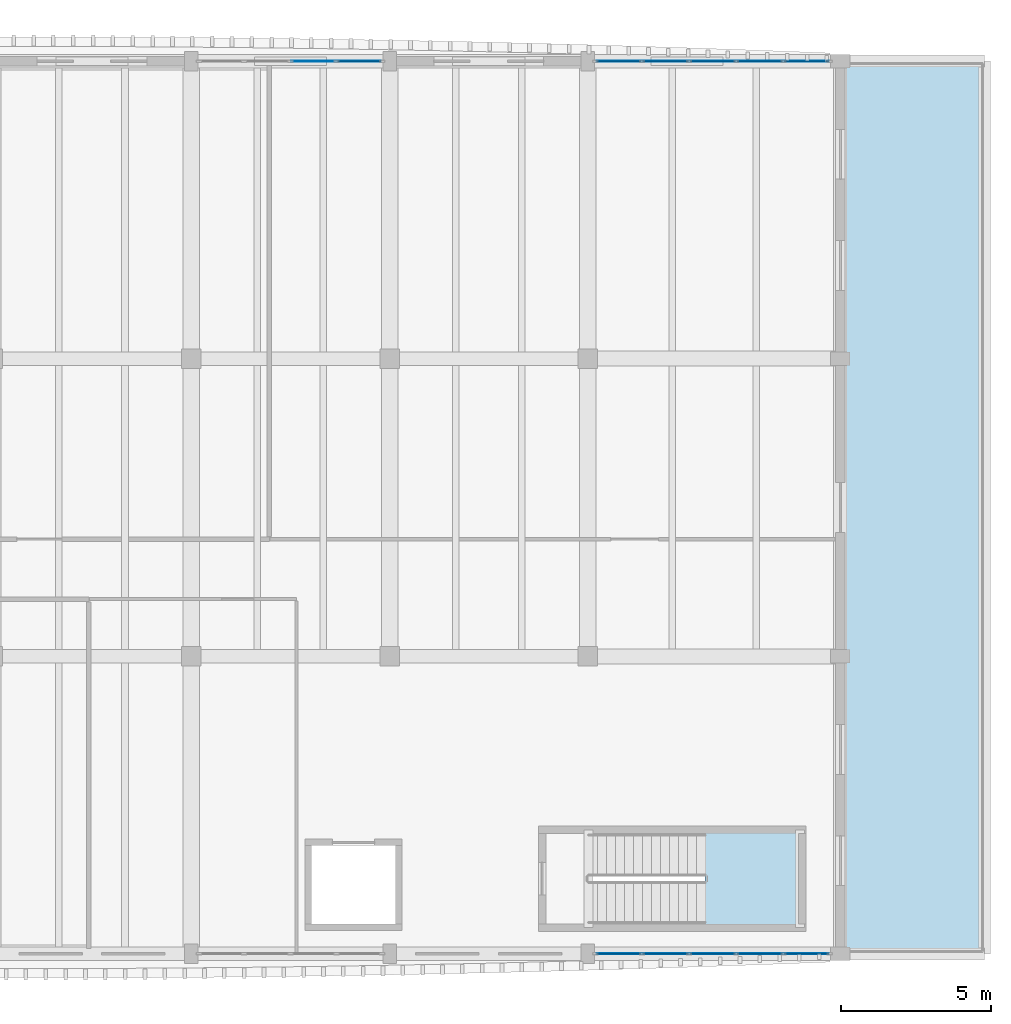
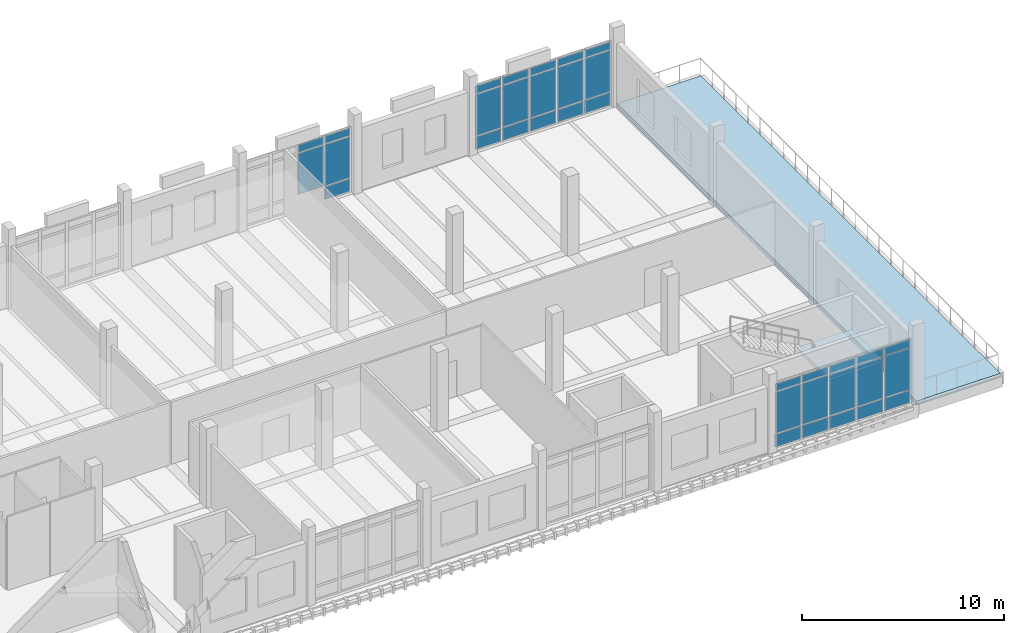
# One storey, part 17 of 39: 35 plates, 2 slabs, 4 elements without a shape of their own.
"""IFC4 building model written with IfcOpenShell, lengths in metres."""

import ifcopenshell
import ifcopenshell.guid

model = None  # the IFC model being written
_history = None  # IfcOwnerHistory: only IFC2X3 demands one
_inside = {}  # id of a spatial element -> (the spatial element, [elements in it])
_under = {}  # id of a project, library or spatial element -> (it, [spatial elements below it])
_declared = {}  # id of a project -> (the project, [libraries it declares])
_typed = {}  # id of a type object -> (the type object, [elements of that type])
_made_of = {}  # id of a material, layer set ... -> (it, [elements and type objects made of it])


def new_model(schema):
    """Start an empty IFC model of exactly this schema.

    Asked for "IFC4X3", IfcOpenShell would pick the latest addendum, in which some entities
    have other attributes; the version numbers below select the first issue.
    IFC2X3 requires an IfcOwnerHistory on every rooted entity: one is made here for all.
    """
    global model, _history
    if schema == "IFC4X3":
        model = ifcopenshell.file(schema_version=(4, 3, 0, 0))
    else:
        model = ifcopenshell.file(schema=schema)
    _inside.clear()
    _under.clear()
    _declared.clear()
    _typed.clear()
    _made_of.clear()
    _history = None
    if model.schema == "IFC2X3":
        org = make("IfcOrganization", Name="unknown")
        user = make(
            "IfcPersonAndOrganization",
            ThePerson=make("IfcPerson", FamilyName="unknown"),
            TheOrganization=org,
        )
        app = make(
            "IfcApplication",
            ApplicationDeveloper=org,
            Version="unknown",
            ApplicationFullName="unknown",
            ApplicationIdentifier="unknown",
        )
        _history = make(
            "IfcOwnerHistory",
            OwningUser=user,
            OwningApplication=app,
            ChangeAction="ADDED",
            CreationDate=0,
        )
    return model


def make(cls, **values):
    """One entity of the class cls with the attributes given. An attribute that is None is left unset."""
    return model.create_entity(
        cls, **{name: value for name, value in values.items() if value is not None}
    )


def rooted(cls, **values):
    """An entity with a GlobalId (a new one), such as an element, a storey or a relation."""
    return make(cls, GlobalId=ifcopenshell.guid.new(), OwnerHistory=_history, **values)


def si_unit(unit_type, name, prefix=None):
    """IfcSIUnit, for example si_unit("LENGTHUNIT", "METRE", prefix="MILLI")."""
    return make("IfcSIUnit", UnitType=unit_type, Prefix=prefix, Name=name)


def assignment(units):
    """IfcUnitAssignment: the units of a project."""
    return None if units is None else make("IfcUnitAssignment", Units=units)


def point(xyz):
    """IfcCartesianPoint."""
    return None if xyz is None else make("IfcCartesianPoint", Coordinates=xyz)


def direction(xyz):
    """IfcDirection."""
    return None if xyz is None else make("IfcDirection", DirectionRatios=xyz)


def frame(location, z_axis=None, x_axis=None):
    """IfcAxis2Placement3D, a coordinate frame: its origin and axes. An axis left out is left unset."""
    return make(
        "IfcAxis2Placement3D",
        Location=point(location),
        Axis=direction(z_axis),
        RefDirection=direction(x_axis),
    )


def frame_2d(location, x_axis=None):
    """IfcAxis2Placement2D, a coordinate frame in the plane: its origin and x axis."""
    return make(
        "IfcAxis2Placement2D", Location=point(location), RefDirection=direction(x_axis)
    )


def origin():
    """The frame at (0, 0, 0) with its axes left unset."""
    return frame((0.0, 0.0, 0.0))


def origin_2d():
    """The frame at (0, 0) in the plane with its x axis left unset."""
    return frame_2d((0.0, 0.0))


def place(relative_to, where):
    """IfcLocalPlacement: puts the frame where relative to a parent placement (None: the world)."""
    return make(
        "IfcLocalPlacement", PlacementRelTo=relative_to, RelativePlacement=where
    )


def context(
    kind, dimensions, precision=None, world=None, true_north=None, identifier=None
):
    """IfcGeometricRepresentationContext, for example the 3D "Model" context."""
    return make(
        "IfcGeometricRepresentationContext",
        ContextIdentifier=identifier,
        ContextType=kind,
        CoordinateSpaceDimension=dimensions,
        Precision=precision,
        WorldCoordinateSystem=world,
        TrueNorth=true_north,
    )


def subcontext(parent, identifier, kind, view, scale=None):
    """IfcGeometricRepresentationSubContext, for example "Body" below "Model"."""
    return make(
        "IfcGeometricRepresentationSubContext",
        ContextIdentifier=identifier,
        ContextType=kind,
        ParentContext=parent,
        TargetScale=scale,
        TargetView=view,
    )


def project(units=None, contexts=None):
    """IfcProject with its units and contexts."""
    return rooted(
        "IfcProject",
        Name="project",
        RepresentationContexts=contexts,
        UnitsInContext=assignment(units),
    )


def spatial(cls, under=None, at=None, **own):
    """A site, building, storey or space (cls), placed at a placement, below another one or the project."""
    s = rooted(cls, ObjectPlacement=at, **own)
    if under is not None:
        _under.setdefault(under.id(), (under, []))[1].append(s)
    return s


def polyline(points):
    """IfcPolyline through the points."""
    return make("IfcPolyline", Points=[point(p) for p in points])


def profile(cls, at=None, kind="AREA", **sizes):
    """A parametric profile (cls). Its sizes go by their IFC names, for example OverallWidth=200.0."""
    return make(cls, ProfileType=kind, Position=at, **sizes)


def rectangle(**sizes):
    """IfcRectangleProfileDef."""
    return profile("IfcRectangleProfileDef", **sizes)


def outline(outer, holes=None, kind="AREA"):
    """IfcArbitraryClosedProfileDef: a profile drawn as a closed curve; with holes, ...WithVoids."""
    if holes is None:
        return make("IfcArbitraryClosedProfileDef", ProfileType=kind, OuterCurve=outer)
    return make(
        "IfcArbitraryProfileDefWithVoids",
        ProfileType=kind,
        OuterCurve=outer,
        InnerCurves=holes,
    )


def extrude(swept, where, along, depth):
    """IfcExtrudedAreaSolid: the profile swept, set in the frame where, extruded along a direction by depth."""
    return make(
        "IfcExtrudedAreaSolid",
        SweptArea=swept,
        Position=where,
        ExtrudedDirection=direction(along),
        Depth=depth,
    )


def shape(context_of_items, identifier, shape_type, items):
    """IfcShapeRepresentation: the items that make up one representation, for example the "Body"."""
    return make(
        "IfcShapeRepresentation",
        ContextOfItems=context_of_items,
        RepresentationIdentifier=identifier,
        RepresentationType=shape_type,
        Items=items,
    )


def material(Name=None, Category=None):
    """IfcMaterial."""
    return make("IfcMaterial", Name=Name, Category=Category)


def layer(
    of_material, thickness, ventilated=None, Name=None, Category=None, Priority=None
):
    """IfcMaterialLayer: one layer of a wall or slab, of a material (None: an air gap)."""
    return make(
        "IfcMaterialLayer",
        Material=of_material,
        LayerThickness=thickness,
        IsVentilated=ventilated,
        Name=Name,
        Category=Category,
        Priority=Priority,
    )


def layer_set(layers, Name=None):
    """IfcMaterialLayerSet."""
    return make("IfcMaterialLayerSet", MaterialLayers=layers, LayerSetName=Name)


def made_of(thing, what):
    """Note that an element or type object is made of a material, layer set ...; save() writes the relation."""
    if what is not None:
        _made_of.setdefault(what.id(), (what, []))[1].append(thing)
    return thing


def type_object(cls, material=None, **own):
    """A type object (cls), such as IfcWallType, which elements share."""
    return made_of(rooted(cls, **own), material)


def element(
    cls,
    number,
    at=None,
    inside=None,
    cuts=None,
    type_object=None,
    material=None,
    context=None,
    identifier="Body",
    shape_type=None,
    held_by="IfcProductDefinitionShape",
    body=None,
    shapes=None,
    **own,
):
    """One element of the class cls, such as IfcWall. Its Tag is "e" and its number.

    at: its placement. inside: the storey or other place that contains it. cuts: it is an
    opening in that element (IfcRelVoidsElement). A single representation is given by context,
    identifier, shape_type and body (its items); several are given by shapes. held_by: the class
    of the entity that holds the representations. save() writes the other relations.
    """
    e = rooted(cls, Tag="e%d" % number, ObjectPlacement=at, **own)
    if body is not None:
        shapes = [shape(context, identifier, shape_type, body)]
    if shapes is not None:
        e.Representation = make(held_by, Representations=shapes)
    if inside is not None:
        _inside.setdefault(inside.id(), (inside, []))[1].append(e)
    if cuts is not None:
        rooted(
            "IfcRelVoidsElement", RelatingBuildingElement=cuts, RelatedOpeningElement=e
        )
    if type_object is not None:
        _typed.setdefault(type_object.id(), (type_object, []))[1].append(e)
    return made_of(e, material)


def aggregate(whole, parts):
    """IfcRelAggregates: a whole, such as a stair, and the parts it consists of."""
    return rooted("IfcRelAggregates", RelatingObject=whole, RelatedObjects=parts)


def save(model, path):
    """Write the relations noted so far, then the file.

    IfcRelAggregates (storeys below a building ...), IfcRelContainedInSpatialStructure (elements
    in a storey), IfcRelDefinesByType, IfcRelAssociatesMaterial and IfcRelDeclares: one each for
    every whole, place, type object, material and project.
    """
    for whole, parts in _under.values():
        aggregate(whole, parts)
    for where, things in _inside.values():
        rooted(
            "IfcRelContainedInSpatialStructure",
            RelatedElements=things,
            RelatingStructure=where,
        )
    for kind, things in _typed.values():
        rooted("IfcRelDefinesByType", RelatedObjects=things, RelatingType=kind)
    for what, things in _made_of.values():
        rooted("IfcRelAssociatesMaterial", RelatedObjects=things, RelatingMaterial=what)
    for by, libraries in _declared.values():
        rooted("IfcRelDeclares", RelatingContext=by, RelatedDefinitions=libraries)
    model.write(path)


model = new_model("IFC4")

# Units and contexts
model_context = context("Model", 3, precision=1e-05, world=origin(), true_north=direction((0.0, 1.0)))
body_context = subcontext(model_context, "Body", "Model", "MODEL_VIEW")
ifc_project = project(units=[si_unit("LENGTHUNIT", "METRE"), si_unit("AREAUNIT", "SQUARE_METRE"), si_unit("VOLUMEUNIT", "CUBIC_METRE"), si_unit("PLANEANGLEUNIT", "RADIAN"), si_unit("MASSUNIT", "GRAM", prefix="KILO")], contexts=[model_context])

# Site, building, storey
site_placement = place(None, origin())
site = spatial("IfcSite", under=ifc_project, at=site_placement, CompositionType="ELEMENT")
building_placement = place(site_placement, origin())
building = spatial("IfcBuilding", under=site, at=building_placement, Name="Dornvale Research Institute", CompositionType="ELEMENT")
storey_placement = place(building_placement, frame((0.0, 0.0, 24.60009765625)))
storey = spatial("IfcBuildingStorey", under=building, at=storey_placement, Name="L05", CompositionType="ELEMENT", Elevation=24.60009765625)

# Curtain wall, plate
ifc_material_1 = material(Name="Low-E Argon Double Insulating Glazing Unit", Category="glass")
curtain_wall_type_1 = type_object("IfcCurtainWallType", Name="UnitisedCurtainWall_V4_6150x3950", PredefinedType="USERDEFINED", material=ifc_material_1)
curtain_wall_1_placement = place(storey_placement, origin())
curtain_wall_1 = element("IfcCurtainWall", 1, at=curtain_wall_1_placement, inside=storey, type_object=curtain_wall_type_1, Name="L05 V4 unitised curtain wall CW-15 #111", ObjectType="UNITISED CURTAIN WALL", PredefinedType="USERDEFINED")
ifc_material_2 = material(Name="Insulated Ceramic-Frit Spandrel Glass Panel", Category="glass")
ifc_layer_1 = layer(ifc_material_2, 0.0419921875)
ifc_layer_set_1 = layer_set([ifc_layer_1], Name="Insulated Ceramic-Frit Spandrel Glass Panel")
plate_type_1 = type_object("IfcPlateType", Name="CurtainPanel_Spandrel_42", PredefinedType="CURTAIN_PANEL", material=ifc_layer_set_1)
plate_1_placement = place(storey_placement, frame((157.389892578125, 122.10009765625, 0.06494140625), z_axis=(0.0, 0.0, 1.0), x_axis=(1.0, 0.0, 0.0)))
plate_1 = element("IfcPlate", 2, at=plate_1_placement, type_object=plate_type_1, Name="CW-15 panel 4.1", PredefinedType="CURTAIN_PANEL", context=body_context, shape_type="SweptSolid", body=[
    extrude(rectangle(XDim=1.43994140625, YDim=0.0419921875, at=origin_2d()), origin(), (0.0, 0.0, 1.0), 0.75244140625),
])

# Curtain wall, plates
ifc_material_3 = material(Name="Low-E Argon Double Insulating Glazing Unit", Category="glass")
curtain_wall_type_2 = type_object("IfcCurtainWallType", Name="UnitisedCurtainWall_V4_7850x3950", PredefinedType="USERDEFINED", material=ifc_material_3)
curtain_wall_2_placement = place(storey_placement, origin())
curtain_wall_2 = element("IfcCurtainWall", 3, at=curtain_wall_2_placement, inside=storey, type_object=curtain_wall_type_2, Name="L05 V4 unitised curtain wall CW-19 #112", ObjectType="UNITISED CURTAIN WALL", PredefinedType="USERDEFINED")
plate_2_placement = place(storey_placement, frame((166.0263671875, 122.10009765625, 0.06494140625), z_axis=(0.0, 0.0, 1.0), x_axis=(1.0, 0.0, 0.0)))
plate_2 = element("IfcPlate", 4, at=plate_2_placement, type_object=plate_type_1, Name="CW-19 panel 1.1", PredefinedType="CURTAIN_PANEL", context=body_context, shape_type="SweptSolid", body=[
    extrude(rectangle(XDim=1.472412109375, YDim=0.0419921875, at=origin_2d()), origin(), (0.0, 0.0, 1.0), 0.75244140625),
])
plate_3_placement = place(storey_placement, frame((167.580078125, 122.10009765625, 0.06494140625), z_axis=(0.0, 0.0, 1.0), x_axis=(1.0, 0.0, 0.0)))
plate_3 = element("IfcPlate", 5, at=plate_3_placement, type_object=plate_type_1, Name="CW-19 panel 2.1", PredefinedType="CURTAIN_PANEL", context=body_context, shape_type="SweptSolid", body=[
    extrude(rectangle(XDim=1.5048828125, YDim=0.0419921875, at=origin_2d()), origin(), (0.0, 0.0, 1.0), 0.75244140625),
])
plate_4_placement = place(storey_placement, frame((169.14990234375, 122.10009765625, 0.06494140625), z_axis=(0.0, 0.0, 1.0), x_axis=(1.0, 0.0, 0.0)))
plate_4 = element("IfcPlate", 6, at=plate_4_placement, type_object=plate_type_1, Name="CW-19 panel 3.1", PredefinedType="CURTAIN_PANEL", context=body_context, shape_type="SweptSolid", body=[
    extrude(rectangle(XDim=1.5048828125, YDim=0.0419921875, at=origin_2d()), origin(), (0.0, 0.0, 1.0), 0.75244140625),
])
plate_5_placement = place(storey_placement, frame((170.719970703125, 122.10009765625, 0.06494140625), z_axis=(0.0, 0.0, 1.0), x_axis=(1.0, 0.0, 0.0)))
plate_5 = element("IfcPlate", 7, at=plate_5_placement, type_object=plate_type_1, Name="CW-19 panel 4.1", PredefinedType="CURTAIN_PANEL", context=body_context, shape_type="SweptSolid", body=[
    extrude(rectangle(XDim=1.5048828125, YDim=0.0419921875, at=origin_2d()), origin(), (0.0, 0.0, 1.0), 0.75244140625),
])
plate_6_placement = place(storey_placement, frame((172.273681640625, 122.10009765625, 0.06494140625), z_axis=(0.0, 0.0, 1.0), x_axis=(1.0, 0.0, 0.0)))
plate_6 = element("IfcPlate", 8, at=plate_6_placement, type_object=plate_type_1, Name="CW-19 panel 5.1", PredefinedType="CURTAIN_PANEL", context=body_context, shape_type="SweptSolid", body=[
    extrude(rectangle(XDim=1.472412109375, YDim=0.0419921875, at=origin_2d()), origin(), (0.0, 0.0, 1.0), 0.75244140625),
])

curtain_wall_3_placement = place(storey_placement, origin())
curtain_wall_3 = element("IfcCurtainWall", 9, at=curtain_wall_3_placement, inside=storey, type_object=curtain_wall_type_2, Name="L05 V4 unitised curtain wall CW-19 #113", ObjectType="UNITISED CURTAIN WALL", PredefinedType="USERDEFINED")
plate_7_placement = place(storey_placement, frame((172.273681640625, 92.39990234375, 0.06494140625), z_axis=(0.0, 0.0, 1.0), x_axis=(-1.0, 0.0, 0.0)))
plate_7 = element("IfcPlate", 10, at=plate_7_placement, type_object=plate_type_1, Name="CW-19 panel 1.1", PredefinedType="CURTAIN_PANEL", context=body_context, shape_type="SweptSolid", body=[
    extrude(rectangle(XDim=1.472412109375, YDim=0.0419921875, at=origin_2d()), origin(), (0.0, 0.0, 1.0), 0.75244140625),
])
plate_8_placement = place(storey_placement, frame((170.719970703125, 92.39990234375, 0.06494140625), z_axis=(0.0, 0.0, 1.0), x_axis=(-1.0, 0.0, 0.0)))
plate_8 = element("IfcPlate", 11, at=plate_8_placement, type_object=plate_type_1, Name="CW-19 panel 2.1", PredefinedType="CURTAIN_PANEL", context=body_context, shape_type="SweptSolid", body=[
    extrude(rectangle(XDim=1.5048828125, YDim=0.0419921875, at=origin_2d()), origin(), (0.0, 0.0, 1.0), 0.75244140625),
])
plate_9_placement = place(storey_placement, frame((169.14990234375, 92.39990234375, 0.06494140625), z_axis=(0.0, 0.0, 1.0), x_axis=(-1.0, 0.0, 0.0)))
plate_9 = element("IfcPlate", 12, at=plate_9_placement, type_object=plate_type_1, Name="CW-19 panel 3.1", PredefinedType="CURTAIN_PANEL", context=body_context, shape_type="SweptSolid", body=[
    extrude(rectangle(XDim=1.5048828125, YDim=0.0419921875, at=origin_2d()), origin(), (0.0, 0.0, 1.0), 0.75244140625),
])
plate_10_placement = place(storey_placement, frame((167.580078125, 92.39990234375, 0.06494140625), z_axis=(0.0, 0.0, 1.0), x_axis=(-1.0, 0.0, 0.0)))
plate_10 = element("IfcPlate", 13, at=plate_10_placement, type_object=plate_type_1, Name="CW-19 panel 4.1", PredefinedType="CURTAIN_PANEL", context=body_context, shape_type="SweptSolid", body=[
    extrude(rectangle(XDim=1.5048828125, YDim=0.0419921875, at=origin_2d()), origin(), (0.0, 0.0, 1.0), 0.75244140625),
])
plate_11_placement = place(storey_placement, frame((166.0263671875, 92.39990234375, 0.06494140625), z_axis=(0.0, 0.0, 1.0), x_axis=(-1.0, 0.0, 0.0)))
plate_11 = element("IfcPlate", 14, at=plate_11_placement, type_object=plate_type_1, Name="CW-19 panel 5.1", PredefinedType="CURTAIN_PANEL", context=body_context, shape_type="SweptSolid", body=[
    extrude(rectangle(XDim=1.472412109375, YDim=0.0419921875, at=origin_2d()), origin(), (0.0, 0.0, 1.0), 0.75244140625),
])

# Plate
ifc_material_4 = material(Name="Low-E Argon Double Insulating Glazing Unit", Category="glass")
ifc_layer_2 = layer(ifc_material_4, 0.028076171875)
ifc_layer_set_2 = layer_set([ifc_layer_2], Name="Low-E Argon Double Insulating Glazing Unit")
plate_type_2 = type_object("IfcPlateType", Name="CurtainPanel_Vision_28", PredefinedType="CURTAIN_PANEL", material=ifc_layer_set_2)
plate_12_placement = place(storey_placement, frame((155.86865234375, 122.10009765625, 0.88232421875), z_axis=(0.0, 0.0, 1.0), x_axis=(1.0, 0.0, 0.0)))
plate_12 = element("IfcPlate", 15, at=plate_12_placement, type_object=plate_type_2, Name="CW-15 panel 3.2", PredefinedType="CURTAIN_PANEL", context=body_context, shape_type="SweptSolid", body=[
    extrude(rectangle(XDim=1.472412109375, YDim=0.028076171875, at=origin_2d()), origin(), (0.0, 0.0, 1.0), 2.485107421875),
])

plate_13_placement = place(storey_placement, frame((155.86865234375, 122.10009765625, 3.4326171875), z_axis=(0.0, 0.0, 1.0), x_axis=(1.0, 0.0, 0.0)))
plate_13 = element("IfcPlate", 16, at=plate_13_placement, type_object=plate_type_2, Name="CW-15 panel 3.3", PredefinedType="CURTAIN_PANEL", context=body_context, shape_type="SweptSolid", body=[
    extrude(rectangle(XDim=1.472412109375, YDim=0.028076171875, at=origin_2d()), origin(), (0.0, 0.0, 1.0), 0.452392578125),
])

plate_14_placement = place(storey_placement, frame((157.389892578125, 122.10009765625, 0.88232421875), z_axis=(0.0, 0.0, 1.0), x_axis=(1.0, 0.0, 0.0)))
plate_14 = element("IfcPlate", 17, at=plate_14_placement, type_object=plate_type_2, Name="CW-15 panel 4.2", PredefinedType="CURTAIN_PANEL", context=body_context, shape_type="SweptSolid", body=[
    extrude(rectangle(XDim=1.43994140625, YDim=0.028076171875, at=origin_2d()), origin(), (0.0, 0.0, 1.0), 2.485107421875),
])

plate_15_placement = place(storey_placement, frame((157.389892578125, 122.10009765625, 3.4326171875), z_axis=(0.0, 0.0, 1.0), x_axis=(1.0, 0.0, 0.0)))
plate_15 = element("IfcPlate", 18, at=plate_15_placement, type_object=plate_type_2, Name="CW-15 panel 4.3", PredefinedType="CURTAIN_PANEL", context=body_context, shape_type="SweptSolid", body=[
    extrude(rectangle(XDim=1.43994140625, YDim=0.028076171875, at=origin_2d()), origin(), (0.0, 0.0, 1.0), 0.452392578125),
])

aggregate(curtain_wall_1, [plate_12, plate_13, plate_1, plate_14, plate_15])

plate_16_placement = place(storey_placement, frame((166.0263671875, 122.10009765625, 0.88232421875), z_axis=(0.0, 0.0, 1.0), x_axis=(1.0, 0.0, 0.0)))
plate_16 = element("IfcPlate", 19, at=plate_16_placement, type_object=plate_type_2, Name="CW-19 panel 1.2", PredefinedType="CURTAIN_PANEL", context=body_context, shape_type="SweptSolid", body=[
    extrude(rectangle(XDim=1.472412109375, YDim=0.028076171875, at=origin_2d()), origin(), (0.0, 0.0, 1.0), 2.485107421875),
])

plate_17_placement = place(storey_placement, frame((166.0263671875, 122.10009765625, 3.4326171875), z_axis=(0.0, 0.0, 1.0), x_axis=(1.0, 0.0, 0.0)))
plate_17 = element("IfcPlate", 20, at=plate_17_placement, type_object=plate_type_2, Name="CW-19 panel 1.3", PredefinedType="CURTAIN_PANEL", context=body_context, shape_type="SweptSolid", body=[
    extrude(rectangle(XDim=1.472412109375, YDim=0.028076171875, at=origin_2d()), origin(), (0.0, 0.0, 1.0), 0.452392578125),
])

plate_18_placement = place(storey_placement, frame((167.580078125, 122.10009765625, 0.88232421875), z_axis=(0.0, 0.0, 1.0), x_axis=(1.0, 0.0, 0.0)))
plate_18 = element("IfcPlate", 21, at=plate_18_placement, type_object=plate_type_2, Name="CW-19 panel 2.2", PredefinedType="CURTAIN_PANEL", context=body_context, shape_type="SweptSolid", body=[
    extrude(rectangle(XDim=1.5048828125, YDim=0.028076171875, at=origin_2d()), origin(), (0.0, 0.0, 1.0), 2.485107421875),
])

plate_19_placement = place(storey_placement, frame((167.580078125, 122.10009765625, 3.4326171875), z_axis=(0.0, 0.0, 1.0), x_axis=(1.0, 0.0, 0.0)))
plate_19 = element("IfcPlate", 22, at=plate_19_placement, type_object=plate_type_2, Name="CW-19 panel 2.3", PredefinedType="CURTAIN_PANEL", context=body_context, shape_type="SweptSolid", body=[
    extrude(rectangle(XDim=1.5048828125, YDim=0.028076171875, at=origin_2d()), origin(), (0.0, 0.0, 1.0), 0.452392578125),
])

plate_20_placement = place(storey_placement, frame((169.14990234375, 122.10009765625, 0.88232421875), z_axis=(0.0, 0.0, 1.0), x_axis=(1.0, 0.0, 0.0)))
plate_20 = element("IfcPlate", 23, at=plate_20_placement, type_object=plate_type_2, Name="CW-19 panel 3.2", PredefinedType="CURTAIN_PANEL", context=body_context, shape_type="SweptSolid", body=[
    extrude(rectangle(XDim=1.5048828125, YDim=0.028076171875, at=origin_2d()), origin(), (0.0, 0.0, 1.0), 2.485107421875),
])

plate_21_placement = place(storey_placement, frame((169.14990234375, 122.10009765625, 3.4326171875), z_axis=(0.0, 0.0, 1.0), x_axis=(1.0, 0.0, 0.0)))
plate_21 = element("IfcPlate", 24, at=plate_21_placement, type_object=plate_type_2, Name="CW-19 panel 3.3", PredefinedType="CURTAIN_PANEL", context=body_context, shape_type="SweptSolid", body=[
    extrude(rectangle(XDim=1.5048828125, YDim=0.028076171875, at=origin_2d()), origin(), (0.0, 0.0, 1.0), 0.452392578125),
])

plate_22_placement = place(storey_placement, frame((170.719970703125, 122.10009765625, 0.88232421875), z_axis=(0.0, 0.0, 1.0), x_axis=(1.0, 0.0, 0.0)))
plate_22 = element("IfcPlate", 25, at=plate_22_placement, type_object=plate_type_2, Name="CW-19 panel 4.2", PredefinedType="CURTAIN_PANEL", context=body_context, shape_type="SweptSolid", body=[
    extrude(rectangle(XDim=1.5048828125, YDim=0.028076171875, at=origin_2d()), origin(), (0.0, 0.0, 1.0), 2.485107421875),
])

plate_23_placement = place(storey_placement, frame((170.719970703125, 122.10009765625, 3.4326171875), z_axis=(0.0, 0.0, 1.0), x_axis=(1.0, 0.0, 0.0)))
plate_23 = element("IfcPlate", 26, at=plate_23_placement, type_object=plate_type_2, Name="CW-19 panel 4.3", PredefinedType="CURTAIN_PANEL", context=body_context, shape_type="SweptSolid", body=[
    extrude(rectangle(XDim=1.5048828125, YDim=0.028076171875, at=origin_2d()), origin(), (0.0, 0.0, 1.0), 0.452392578125),
])

plate_24_placement = place(storey_placement, frame((172.273681640625, 122.10009765625, 0.88232421875), z_axis=(0.0, 0.0, 1.0), x_axis=(1.0, 0.0, 0.0)))
plate_24 = element("IfcPlate", 27, at=plate_24_placement, type_object=plate_type_2, Name="CW-19 panel 5.2", PredefinedType="CURTAIN_PANEL", context=body_context, shape_type="SweptSolid", body=[
    extrude(rectangle(XDim=1.472412109375, YDim=0.028076171875, at=origin_2d()), origin(), (0.0, 0.0, 1.0), 2.485107421875),
])

plate_25_placement = place(storey_placement, frame((172.273681640625, 122.10009765625, 3.4326171875), z_axis=(0.0, 0.0, 1.0), x_axis=(1.0, 0.0, 0.0)))
plate_25 = element("IfcPlate", 28, at=plate_25_placement, type_object=plate_type_2, Name="CW-19 panel 5.3", PredefinedType="CURTAIN_PANEL", context=body_context, shape_type="SweptSolid", body=[
    extrude(rectangle(XDim=1.472412109375, YDim=0.028076171875, at=origin_2d()), origin(), (0.0, 0.0, 1.0), 0.452392578125),
])

aggregate(curtain_wall_2, [plate_2, plate_16, plate_17, plate_3, plate_18, plate_19, plate_4, plate_20, plate_21, plate_5, plate_22, plate_23, plate_6, plate_24, plate_25])

plate_26_placement = place(storey_placement, frame((172.273681640625, 92.39990234375, 0.88232421875), z_axis=(0.0, 0.0, 1.0), x_axis=(-1.0, 0.0, 0.0)))
plate_26 = element("IfcPlate", 29, at=plate_26_placement, type_object=plate_type_2, Name="CW-19 panel 1.2", PredefinedType="CURTAIN_PANEL", context=body_context, shape_type="SweptSolid", body=[
    extrude(rectangle(XDim=1.472412109375, YDim=0.028076171875, at=origin_2d()), origin(), (0.0, 0.0, 1.0), 2.485107421875),
])

plate_27_placement = place(storey_placement, frame((172.273681640625, 92.39990234375, 3.4326171875), z_axis=(0.0, 0.0, 1.0), x_axis=(-1.0, 0.0, 0.0)))
plate_27 = element("IfcPlate", 30, at=plate_27_placement, type_object=plate_type_2, Name="CW-19 panel 1.3", PredefinedType="CURTAIN_PANEL", context=body_context, shape_type="SweptSolid", body=[
    extrude(rectangle(XDim=1.472412109375, YDim=0.028076171875, at=origin_2d()), origin(), (0.0, 0.0, 1.0), 0.452392578125),
])

plate_28_placement = place(storey_placement, frame((170.719970703125, 92.39990234375, 0.88232421875), z_axis=(0.0, 0.0, 1.0), x_axis=(-1.0, 0.0, 0.0)))
plate_28 = element("IfcPlate", 31, at=plate_28_placement, type_object=plate_type_2, Name="CW-19 panel 2.2", PredefinedType="CURTAIN_PANEL", context=body_context, shape_type="SweptSolid", body=[
    extrude(rectangle(XDim=1.5048828125, YDim=0.028076171875, at=origin_2d()), origin(), (0.0, 0.0, 1.0), 2.485107421875),
])

plate_29_placement = place(storey_placement, frame((170.719970703125, 92.39990234375, 3.4326171875), z_axis=(0.0, 0.0, 1.0), x_axis=(-1.0, 0.0, 0.0)))
plate_29 = element("IfcPlate", 32, at=plate_29_placement, type_object=plate_type_2, Name="CW-19 panel 2.3", PredefinedType="CURTAIN_PANEL", context=body_context, shape_type="SweptSolid", body=[
    extrude(rectangle(XDim=1.5048828125, YDim=0.028076171875, at=origin_2d()), origin(), (0.0, 0.0, 1.0), 0.452392578125),
])

plate_30_placement = place(storey_placement, frame((169.14990234375, 92.39990234375, 0.88232421875), z_axis=(0.0, 0.0, 1.0), x_axis=(-1.0, 0.0, 0.0)))
plate_30 = element("IfcPlate", 33, at=plate_30_placement, type_object=plate_type_2, Name="CW-19 panel 3.2", PredefinedType="CURTAIN_PANEL", context=body_context, shape_type="SweptSolid", body=[
    extrude(rectangle(XDim=1.5048828125, YDim=0.028076171875, at=origin_2d()), origin(), (0.0, 0.0, 1.0), 2.485107421875),
])

plate_31_placement = place(storey_placement, frame((169.14990234375, 92.39990234375, 3.4326171875), z_axis=(0.0, 0.0, 1.0), x_axis=(-1.0, 0.0, 0.0)))
plate_31 = element("IfcPlate", 34, at=plate_31_placement, type_object=plate_type_2, Name="CW-19 panel 3.3", PredefinedType="CURTAIN_PANEL", context=body_context, shape_type="SweptSolid", body=[
    extrude(rectangle(XDim=1.5048828125, YDim=0.028076171875, at=origin_2d()), origin(), (0.0, 0.0, 1.0), 0.452392578125),
])

plate_32_placement = place(storey_placement, frame((167.580078125, 92.39990234375, 0.88232421875), z_axis=(0.0, 0.0, 1.0), x_axis=(-1.0, 0.0, 0.0)))
plate_32 = element("IfcPlate", 35, at=plate_32_placement, type_object=plate_type_2, Name="CW-19 panel 4.2", PredefinedType="CURTAIN_PANEL", context=body_context, shape_type="SweptSolid", body=[
    extrude(rectangle(XDim=1.5048828125, YDim=0.028076171875, at=origin_2d()), origin(), (0.0, 0.0, 1.0), 2.485107421875),
])

plate_33_placement = place(storey_placement, frame((167.580078125, 92.39990234375, 3.4326171875), z_axis=(0.0, 0.0, 1.0), x_axis=(-1.0, 0.0, 0.0)))
plate_33 = element("IfcPlate", 36, at=plate_33_placement, type_object=plate_type_2, Name="CW-19 panel 4.3", PredefinedType="CURTAIN_PANEL", context=body_context, shape_type="SweptSolid", body=[
    extrude(rectangle(XDim=1.5048828125, YDim=0.028076171875, at=origin_2d()), origin(), (0.0, 0.0, 1.0), 0.452392578125),
])

plate_34_placement = place(storey_placement, frame((166.0263671875, 92.39990234375, 0.88232421875), z_axis=(0.0, 0.0, 1.0), x_axis=(-1.0, 0.0, 0.0)))
plate_34 = element("IfcPlate", 37, at=plate_34_placement, type_object=plate_type_2, Name="CW-19 panel 5.2", PredefinedType="CURTAIN_PANEL", context=body_context, shape_type="SweptSolid", body=[
    extrude(rectangle(XDim=1.472412109375, YDim=0.028076171875, at=origin_2d()), origin(), (0.0, 0.0, 1.0), 2.485107421875),
])

plate_35_placement = place(storey_placement, frame((166.0263671875, 92.39990234375, 3.4326171875), z_axis=(0.0, 0.0, 1.0), x_axis=(-1.0, 0.0, 0.0)))
plate_35 = element("IfcPlate", 38, at=plate_35_placement, type_object=plate_type_2, Name="CW-19 panel 5.3", PredefinedType="CURTAIN_PANEL", context=body_context, shape_type="SweptSolid", body=[
    extrude(rectangle(XDim=1.472412109375, YDim=0.028076171875, at=origin_2d()), origin(), (0.0, 0.0, 1.0), 0.452392578125),
])

aggregate(curtain_wall_3, [plate_7, plate_26, plate_27, plate_8, plate_28, plate_29, plate_9, plate_30, plate_31, plate_10, plate_32, plate_33, plate_11, plate_34, plate_35])

# Slab
ifc_material_5 = material(Name="Concrete f'c 45 MPa (C35/45)", Category="concrete")
ifc_layer_3 = layer(ifc_material_5, 0.25)
ifc_layer_set_3 = layer_set([ifc_layer_3], Name="Concrete f'c 45 MPa (C35/45)")
slab_type_1 = type_object("IfcSlabType", Name="FloorSlab_Terrace_250_Ext", PredefinedType="FLOOR", material=ifc_layer_set_3)
slab_1_placement = place(storey_placement, frame((0.0, 0.0, -0.25)))
element("IfcSlab", 39, at=slab_1_placement, inside=storey, type_object=slab_type_1, Name="L05 planted research terrace slab TER-V4-L05", PredefinedType="FLOOR", context=body_context, shape_type="SweptSolid", body=[
    extrude(outline(polyline([(173.39990234375, 92.39990234375), (178.199951171875, 92.39990234375), (178.199951171875, 122.10009765625), (173.39990234375, 122.10009765625), (173.39990234375, 92.39990234375)])), origin(), (0.0, 0.0, 1.0), 0.25),
])

# Stair, slab
ifc_material_6 = material(Name="Concrete f'c 45 MPa (C35/45)", Category="concrete")
stair_type = type_object("IfcStairType", Name="HalfTurnStair_RC", PredefinedType="HALF_TURN_STAIR", material=ifc_material_6)
stair_placement = place(storey_placement, origin())
stair = element("IfcStair", 40, at=stair_placement, inside=storey, type_object=stair_type, Name="L05 Exit stair ST-4", PredefinedType="HALF_TURN_STAIR")
ifc_material_7 = material(Name="Concrete f'c 45 MPa (C35/45)", Category="concrete")
ifc_layer_4 = layer(ifc_material_7, 0.199951171875)
ifc_layer_set_4 = layer_set([ifc_layer_4], Name="Concrete f'c 45 MPa (C35/45)")
slab_type_2 = type_object("IfcSlabType", Name="Landing_Stair_200", PredefinedType="LANDING", material=ifc_layer_set_4)
slab_2_placement = place(storey_placement, frame((0.0, 0.0, 2.199951171875)))
slab_2 = element("IfcSlab", 41, at=slab_2_placement, type_object=slab_type_2, Name="ST-4 landing 1", PredefinedType="LANDING", context=body_context, shape_type="SweptSolid", body=[
    extrude(outline(polyline([(168.889892578125, 93.3701171875), (168.889892578125, 96.429931640625), (172.030029296875, 96.429931640625), (172.030029296875, 93.3701171875), (168.889892578125, 93.3701171875)])), origin(), (0.0, 0.0, 1.0), 0.199951171875),
])
aggregate(stair, [slab_2])

save(model, "model.ifc")
